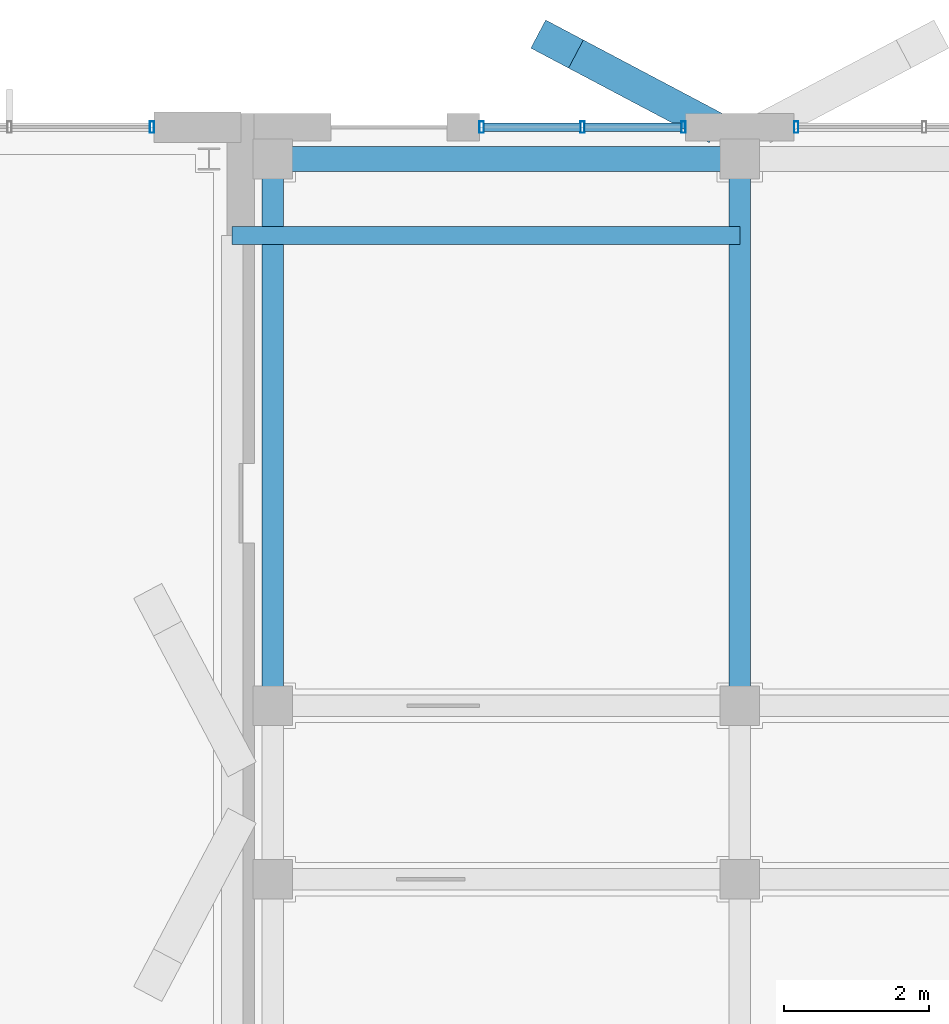
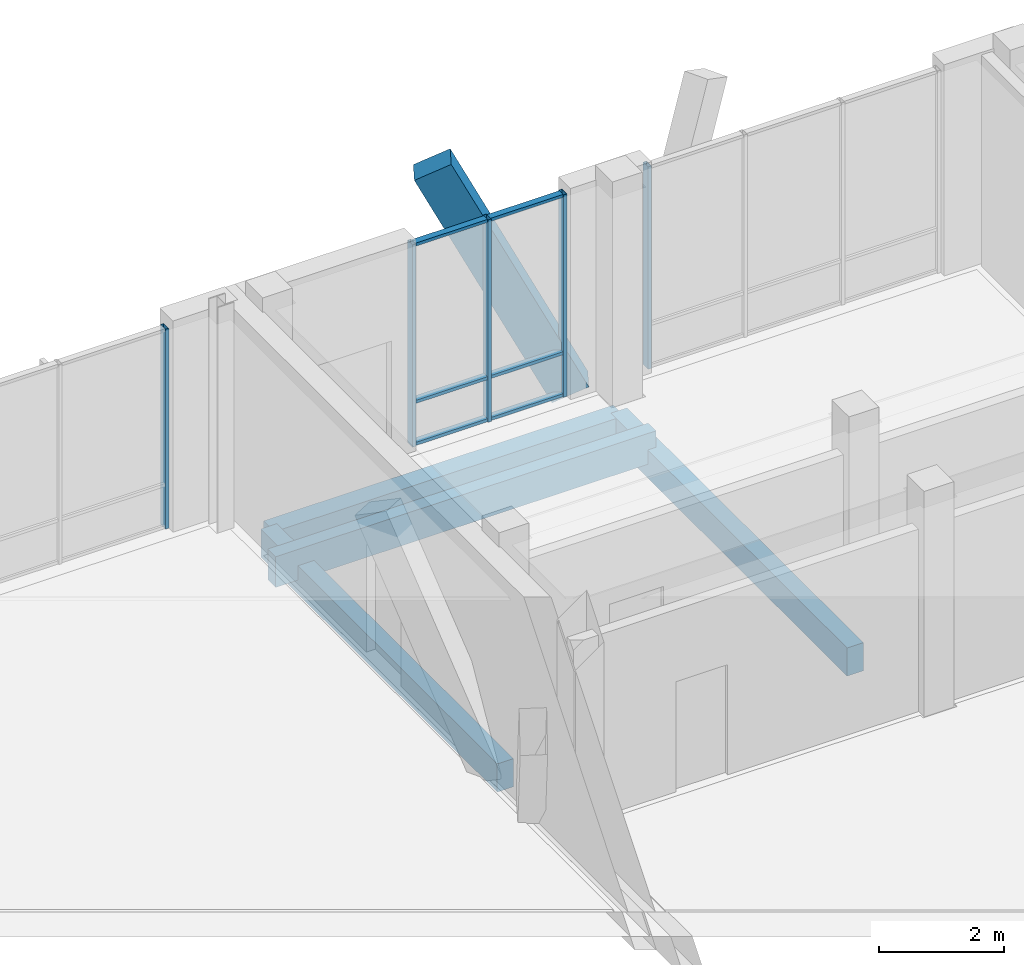
# One storey, part 133 of 233: 12 members, 4 beams, 3 elements without a shape of their own.
"""IFC4 building model written with IfcOpenShell, lengths in metres."""

from ifc_helpers import new_model, si_unit, direction, frame, origin, origin_2d, place, context, subcontext, project, spatial, rectangle, hollow_rectangle, extrude, material, material_profile, profile_set, type_object, element, aggregate, save


model = new_model("IFC4")

# Units and contexts
model_context = context("Model", 3, precision=1e-05, world=origin(), true_north=direction((0.0, 1.0)))
body_context = subcontext(model_context, "Body", "Model", "MODEL_VIEW")
ifc_project = project(units=[si_unit("LENGTHUNIT", "METRE"), si_unit("AREAUNIT", "SQUARE_METRE"), si_unit("VOLUMEUNIT", "CUBIC_METRE"), si_unit("PLANEANGLEUNIT", "RADIAN"), si_unit("MASSUNIT", "GRAM", prefix="KILO")], contexts=[model_context])

# Site, building, storey
site_placement = place(None, origin())
site = spatial("IfcSite", under=ifc_project, at=site_placement, CompositionType="ELEMENT")
building_placement = place(site_placement, origin())
building = spatial("IfcBuilding", under=site, at=building_placement, Name="Zavelmont Quarter", CompositionType="ELEMENT")
storey_placement = place(building_placement, origin())
storey = spatial("IfcBuildingStorey", under=building, at=storey_placement, Name="L00", CompositionType="ELEMENT", Elevation=0.0)

# Beams
ifc_material_1 = material(Name="Concrete C35/45", Category="concrete")
ifc_material_profile_1 = material_profile(ifc_material_1, rectangle(XDim=0.35009765625, YDim=0.60009765625, at=origin_2d()), Name="RC350X600")
ifc_profile_set_1 = profile_set([ifc_material_profile_1], Name="Concrete C35/45")
beam_type_1 = type_object("IfcBeamType", Name="BM01", PredefinedType="SPANDREL", material=ifc_profile_set_1)
beam_1_placement = place(storey_placement, frame((113.239990234375, 115.56005859375, -0.6201171875), z_axis=(1.0, 0.0, 0.0), x_axis=(0.0, 1.0, 0.0)))
element("IfcBeam", 1, at=beam_1_placement, inside=storey, type_object=beam_type_1, Name="L00 beam BM01 17/S to 18/S", PredefinedType="SPANDREL", context=body_context, shape_type="SweptSolid", body=[
    extrude(rectangle(XDim=0.35009765625, YDim=0.60009765625, at=origin_2d()), origin(), (0.0, 0.0, 1.0), 6.4599609375),
])
ifc_material_profile_2 = material_profile(ifc_material_1, rectangle(XDim=0.300048828125, YDim=0.550048828125, at=origin_2d()), Name="RC300X550")
ifc_profile_set_2 = profile_set([ifc_material_profile_2], Name="Concrete C35/45")
beam_type_2 = type_object("IfcBeamType", Name="BM02", PredefinedType="SPANDREL", material=ifc_profile_set_2)
for number, where, z_axis, x_axis, name in (
    (2, (113.239990234375, 108.0, -0.594970703125), (0.0, 1.0, 0.0), (-1.0, 0.0, 0.0), "L00 beam BM02 17/R to 17/S"),
    (3, (119.699951171875, 108.0, -0.594970703125), (0.0, 1.0, 0.0), (-1.0, 0.0, 0.0), "L00 beam BM02 18/R to 18/S"),
):
    element("IfcBeam", number, at=place(storey_placement, frame(where, z_axis=z_axis, x_axis=x_axis)), inside=storey, type_object=beam_type_2, Name=name, PredefinedType="SPANDREL", context=body_context, shape_type="SweptSolid", body=[
        extrude(rectangle(XDim=0.300048828125, YDim=0.550048828125, at=origin_2d()), origin(), (0.0, 0.0, 1.0), 7.56005859375),
    ])
ifc_material_2 = material(Name="Concrete C40/50", Category="concrete")
ifc_material_profile_3 = material_profile(ifc_material_2, rectangle(XDim=0.25, YDim=0.60009765625, at=origin_2d()), Name="RC250X600")
ifc_profile_set_3 = profile_set([ifc_material_profile_3], Name="Concrete C40/50")
beam_type_3 = type_object("IfcBeamType", Name="BM18", PredefinedType="BEAM", material=ifc_profile_set_3)
beam_2_placement = place(storey_placement, frame((119.699951171875, 114.5, -0.300048828125), z_axis=(-1.0, 0.0, 0.0), x_axis=(0.0, -1.0, 0.0)))
element("IfcBeam", 4, at=beam_2_placement, inside=storey, type_object=beam_type_3, Name="L00 beam BM18 18/S to 17/S", PredefinedType="BEAM", context=body_context, shape_type="SweptSolid", body=[
    extrude(rectangle(XDim=0.25, YDim=0.60009765625, at=origin_2d()), origin(), (0.0, 0.0, 1.0), 7.02001953125),
])

# Curtain wall, members
ifc_material_3 = material(Name="Thermally broken aluminium and double low-E safety glazing", Category="aluminium")
curtain_wall_type_1 = type_object("IfcCurtainWallType", Name="CW-285X395", PredefinedType="NOTDEFINED", material=ifc_material_3)
curtain_wall_1_placement = place(storey_placement, origin())
curtain_wall_1 = element("IfcCurtainWall", 5, at=curtain_wall_1_placement, inside=storey, type_object=curtain_wall_type_1, Name="L00 unitised curtain wall CW-285X395", PredefinedType="NOTDEFINED")
ifc_material_4 = material(Name="Powder-coated aluminium EN AW-6063-T6", Category="aluminium")
ifc_material_profile_4 = material_profile(ifc_material_4, hollow_rectangle(XDim=0.06005859375, YDim=0.159912109375, WallThickness=0.00390625, at=origin_2d()), Name="CWM60X160")
ifc_profile_set_4 = profile_set([ifc_material_profile_4], Name="Powder-coated aluminium EN AW-6063-T6")
member_type_1 = type_object("IfcMemberType", Name="CWM01", PredefinedType="MULLION", material=ifc_profile_set_4)
member_1_placement = place(storey_placement, frame((116.1298828125, 116.0, 0.0), z_axis=(0.0, 0.0, 1.0), x_axis=(1.0, 0.0, 0.0)))
member_1 = element("IfcMember", 6, at=member_1_placement, type_object=member_type_1, Name="CW-285X395 mullion 1", PredefinedType="MULLION", context=body_context, shape_type="SweptSolid", body=[
    extrude(hollow_rectangle(XDim=0.06005859375, YDim=0.159912109375, WallThickness=0.00390625, at=origin_2d()), origin(), (0.0, 0.0, 1.0), 3.949951171875),
])
member_2_placement = place(storey_placement, frame((117.52490234375, 116.0, 0.0), z_axis=(0.0, 0.0, 1.0), x_axis=(1.0, 0.0, 0.0)))
member_2 = element("IfcMember", 7, at=member_2_placement, type_object=member_type_1, Name="CW-285X395 mullion 2", PredefinedType="MULLION", context=body_context, shape_type="SweptSolid", body=[
    extrude(hollow_rectangle(XDim=0.06005859375, YDim=0.159912109375, WallThickness=0.00390625, at=origin_2d()), origin(), (0.0, 0.0, 1.0), 3.949951171875),
])
member_3_placement = place(storey_placement, frame((118.919921875, 116.0, 0.0), z_axis=(0.0, 0.0, 1.0), x_axis=(1.0, 0.0, 0.0)))
member_3 = element("IfcMember", 8, at=member_3_placement, type_object=member_type_1, Name="CW-285X395 mullion 3", PredefinedType="MULLION", context=body_context, shape_type="SweptSolid", body=[
    extrude(hollow_rectangle(XDim=0.06005859375, YDim=0.159912109375, WallThickness=0.00390625, at=origin_2d()), origin(), (0.0, 0.0, 1.0), 3.949951171875),
])

# Curtain wall, member
curtain_wall_type_2 = type_object("IfcCurtainWallType", Name="CW-540X395", PredefinedType="NOTDEFINED", material=ifc_material_3)
curtain_wall_2_placement = place(storey_placement, origin())
curtain_wall_2 = element("IfcCurtainWall", 9, at=curtain_wall_2_placement, inside=storey, type_object=curtain_wall_type_2, Name="L00 unitised curtain wall CW-540X395", PredefinedType="NOTDEFINED")
member_4_placement = place(storey_placement, frame((120.47998046875, 116.0, 0.0), z_axis=(0.0, 0.0, 1.0), x_axis=(1.0, 0.0, 0.0)))
member_4 = element("IfcMember", 10, at=member_4_placement, type_object=member_type_1, Name="CW-540X395 mullion 1", PredefinedType="MULLION", context=body_context, shape_type="SweptSolid", body=[
    extrude(hollow_rectangle(XDim=0.06005859375, YDim=0.159912109375, WallThickness=0.00390625, at=origin_2d()), origin(), (0.0, 0.0, 1.0), 3.949951171875),
])
aggregate(curtain_wall_2, [member_4])

curtain_wall_type_3 = type_object("IfcCurtainWallType", Name="CW-600X390", PredefinedType="NOTDEFINED", material=ifc_material_3)
curtain_wall_3_placement = place(storey_placement, origin())
curtain_wall_3 = element("IfcCurtainWall", 11, at=curtain_wall_3_placement, inside=storey, type_object=curtain_wall_type_3, Name="L00 unitised curtain wall CW-600X390", PredefinedType="NOTDEFINED")
member_5_placement = place(storey_placement, frame((111.570068359375, 116.0, 0.0), z_axis=(0.0, 0.0, 1.0), x_axis=(1.0, 0.0, 0.0)))
member_5 = element("IfcMember", 12, at=member_5_placement, type_object=member_type_1, Name="CW-600X390 mullion 4", PredefinedType="MULLION", context=body_context, shape_type="SweptSolid", body=[
    extrude(hollow_rectangle(XDim=0.06005859375, YDim=0.159912109375, WallThickness=0.00390625, at=origin_2d()), origin(), (0.0, 0.0, 1.0), 3.89990234375),
])
aggregate(curtain_wall_3, [member_5])

# Member
ifc_material_profile_5 = material_profile(ifc_material_4, hollow_rectangle(XDim=0.1201171875, YDim=0.06005859375, WallThickness=0.00390625, at=origin_2d()), Name="CWT60X120")
ifc_profile_set_5 = profile_set([ifc_material_profile_5], Name="Powder-coated aluminium EN AW-6063-T6")
member_type_2 = type_object("IfcMemberType", Name="CWT01", PredefinedType="NOTDEFINED", material=ifc_profile_set_5)
member_6_placement = place(storey_placement, frame((116.159912109375, 116.0, 0.030029296875), z_axis=(1.0, 0.0, 0.0), x_axis=(0.0, 1.0, 0.0)))
member_6 = element("IfcMember", 13, at=member_6_placement, type_object=member_type_2, Name="CW-285X395 transom 1.1", ObjectType="TRANSOM", PredefinedType="USERDEFINED", context=body_context, shape_type="SweptSolid", body=[
    extrude(hollow_rectangle(XDim=0.1201171875, YDim=0.06005859375, WallThickness=0.00390625, at=origin_2d()), origin(), (0.0, 0.0, 1.0), 1.335205078125),
])

member_7_placement = place(storey_placement, frame((116.159912109375, 116.0, 0.85009765625), z_axis=(1.0, 0.0, 0.0), x_axis=(0.0, 1.0, 0.0)))
member_7 = element("IfcMember", 14, at=member_7_placement, type_object=member_type_2, Name="CW-285X395 transom 1.2", ObjectType="TRANSOM", PredefinedType="USERDEFINED", context=body_context, shape_type="SweptSolid", body=[
    extrude(hollow_rectangle(XDim=0.1201171875, YDim=0.06005859375, WallThickness=0.00390625, at=origin_2d()), origin(), (0.0, 0.0, 1.0), 1.335205078125),
])

member_8_placement = place(storey_placement, frame((116.159912109375, 116.0, 3.919921875), z_axis=(1.0, 0.0, 0.0), x_axis=(0.0, 1.0, 0.0)))
member_8 = element("IfcMember", 15, at=member_8_placement, type_object=member_type_2, Name="CW-285X395 transom 1.3", ObjectType="TRANSOM", PredefinedType="USERDEFINED", context=body_context, shape_type="SweptSolid", body=[
    extrude(hollow_rectangle(XDim=0.1201171875, YDim=0.06005859375, WallThickness=0.00390625, at=origin_2d()), origin(), (0.0, 0.0, 1.0), 1.335205078125),
])

member_9_placement = place(storey_placement, frame((117.554931640625, 116.0, 0.030029296875), z_axis=(1.0, 0.0, 0.0), x_axis=(0.0, 1.0, 0.0)))
member_9 = element("IfcMember", 16, at=member_9_placement, type_object=member_type_2, Name="CW-285X395 transom 2.1", ObjectType="TRANSOM", PredefinedType="USERDEFINED", context=body_context, shape_type="SweptSolid", body=[
    extrude(hollow_rectangle(XDim=0.1201171875, YDim=0.06005859375, WallThickness=0.00390625, at=origin_2d()), origin(), (0.0, 0.0, 1.0), 1.3349609375),
])

member_10_placement = place(storey_placement, frame((117.554931640625, 116.0, 0.85009765625), z_axis=(1.0, 0.0, 0.0), x_axis=(0.0, 1.0, 0.0)))
member_10 = element("IfcMember", 17, at=member_10_placement, type_object=member_type_2, Name="CW-285X395 transom 2.2", ObjectType="TRANSOM", PredefinedType="USERDEFINED", context=body_context, shape_type="SweptSolid", body=[
    extrude(hollow_rectangle(XDim=0.1201171875, YDim=0.06005859375, WallThickness=0.00390625, at=origin_2d()), origin(), (0.0, 0.0, 1.0), 1.3349609375),
])

member_11_placement = place(storey_placement, frame((117.554931640625, 116.0, 3.919921875), z_axis=(1.0, 0.0, 0.0), x_axis=(0.0, 1.0, 0.0)))
member_11 = element("IfcMember", 18, at=member_11_placement, type_object=member_type_2, Name="CW-285X395 transom 2.3", ObjectType="TRANSOM", PredefinedType="USERDEFINED", context=body_context, shape_type="SweptSolid", body=[
    extrude(hollow_rectangle(XDim=0.1201171875, YDim=0.06005859375, WallThickness=0.00390625, at=origin_2d()), origin(), (0.0, 0.0, 1.0), 1.3349609375),
])

aggregate(curtain_wall_1, [member_1, member_2, member_3, member_6, member_7, member_8, member_9, member_10, member_11])

ifc_material_5 = material(Name="White architectural precast concrete C40/50", Category="concrete")
ifc_material_profile_6 = material_profile(ifc_material_5, rectangle(XDim=0.43994140625, YDim=0.659912109375, at=origin_2d()), Name="PCR320X480")
ifc_profile_set_6 = profile_set([ifc_material_profile_6], Name="White architectural precast concrete C40/50")
member_type_3 = type_object("IfcMemberType", Name="VR01M", PredefinedType="CHORD", material=ifc_profile_set_6)
member_12_placement = place(storey_placement, frame((119.1201171875, 116.1201171875, 0.0), z_axis=(-0.395660789646, 0.209292351483, 0.894231094934), x_axis=(-0.467582094984, -0.883949650404, 0.0)))
element("IfcMember", 19, at=member_12_placement, inside=storey, type_object=member_type_3, Name="L00 member VR01M 18/S to 18/S", PredefinedType="CHORD", context=body_context, shape_type="SweptSolid", body=[
    extrude(rectangle(XDim=0.43994140625, YDim=0.659912109375, at=origin_2d()), origin(), (0.0, 0.0, 1.0), 4.92041015625),
])

save(model, "model.ifc")
